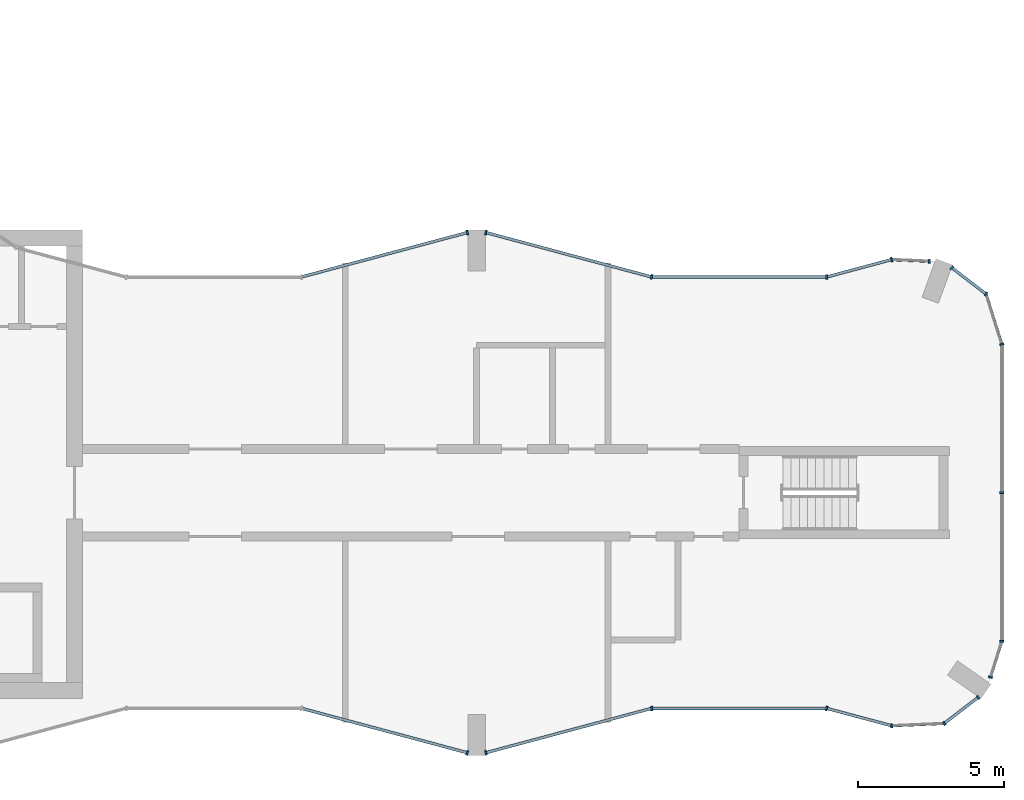
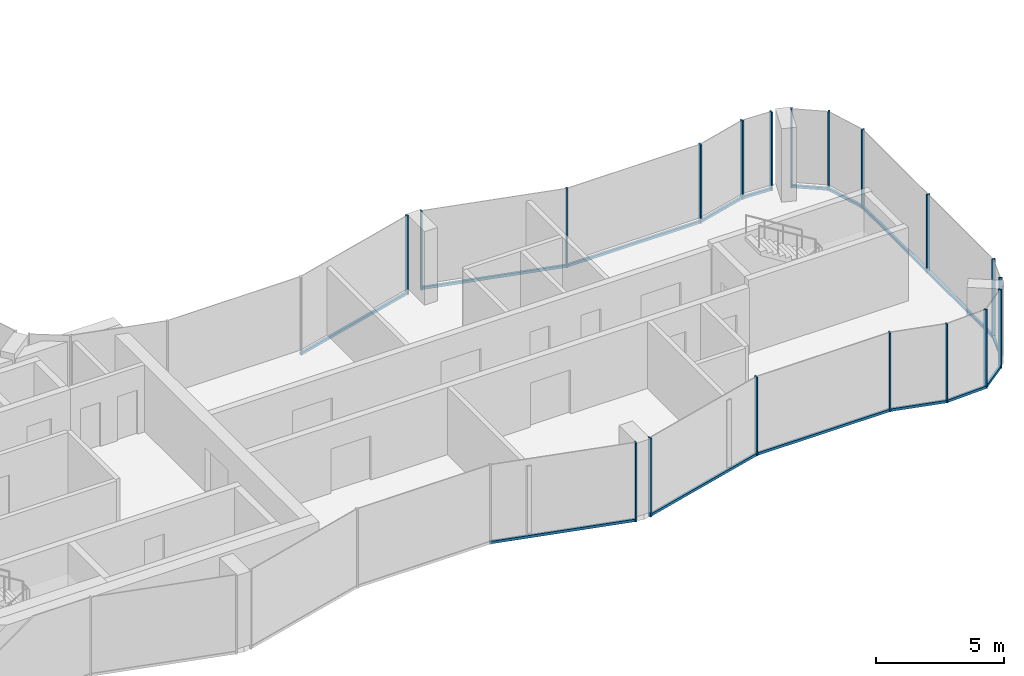
# One storey, part 6 of 16: 34 members, 15 elements without a shape of their own.
"""IFC4 building model written with IfcOpenShell, lengths in metres."""

from ifc_helpers import new_model, si_unit, direction, frame, origin, origin_2d, place, context, subcontext, project, spatial, rectangle, extrude, material, layer, layer_set, material_profile, profile_set, type_object, element, aggregate, save


model = new_model("IFC4")

# Units and contexts
model_context = context("Model", 3, precision=1e-05, world=origin(), true_north=direction((0.0, 1.0)))
body_context = subcontext(model_context, "Body", "Model", "MODEL_VIEW")
ifc_project = project(units=[si_unit("LENGTHUNIT", "METRE"), si_unit("AREAUNIT", "SQUARE_METRE"), si_unit("VOLUMEUNIT", "CUBIC_METRE"), si_unit("PLANEANGLEUNIT", "RADIAN"), si_unit("MASSUNIT", "GRAM", prefix="KILO")], contexts=[model_context])

# Site, building, storey
site_placement = place(None, origin())
site = spatial("IfcSite", under=ifc_project, at=site_placement, CompositionType="ELEMENT")
building_placement = place(site_placement, origin())
building = spatial("IfcBuilding", under=site, at=building_placement, Name="Plateau Cross Towers", CompositionType="ELEMENT")
storey_placement = place(building_placement, frame((0.0, 0.0, 181.39990234375)))
storey = spatial("IfcBuildingStorey", under=building, at=storey_placement, Name="L47", CompositionType="ELEMENT", Elevation=181.39990234375)

# Curtain wall, member
ifc_material_1 = material(Name="Dark low-iron glass", Category="glass")
ifc_layer_1 = layer(ifc_material_1, 0.239990234375)
ifc_layer_set_1 = layer_set([ifc_layer_1], Name="Dark low-iron glass")
curtain_wall_type_1 = type_object("IfcCurtainWallType", Name="Curtain wall flush unitised CW-B", PredefinedType="NOTDEFINED", material=ifc_layer_set_1)
curtain_wall_1_placement = place(storey_placement, origin())
curtain_wall_1 = element("IfcCurtainWall", 1, at=curtain_wall_1_placement, inside=storey, type_object=curtain_wall_type_1, Name="ENV/A/L47/A502_10", PredefinedType="NOTDEFINED")
ifc_material_2 = material(Name="Black anodised aluminium", Category="aluminium")
ifc_material_profile_1 = material_profile(ifc_material_2, rectangle(XDim=0.06005859375, YDim=0.139892578125, at=origin_2d()), Name="MULLION 60x140")
ifc_profile_set_1 = profile_set([ifc_material_profile_1], Name="Black anodised aluminium")
member_type_1 = type_object("IfcMemberType", Name="Mullion 60x140 flush unitised", PredefinedType="MULLION", material=ifc_profile_set_1)
member_1_placement = place(storey_placement, frame((50.223876953125, 1.01123046875, -0.25), z_axis=(0.0, 0.0, 1.0), x_axis=(0.999043701491, 0.043722791671, 0.0)))
member_1 = element("IfcMember", 2, at=member_1_placement, type_object=member_type_1, Name="CW-B mullion 1", PredefinedType="MULLION", context=body_context, shape_type="SweptSolid", body=[
    extrude(rectangle(XDim=0.06005859375, YDim=0.139892578125, at=origin_2d()), origin(), (0.0, 0.0, 1.0), 3.75),
])

# Curtain wall, members
curtain_wall_2_placement = place(storey_placement, origin())
curtain_wall_2 = element("IfcCurtainWall", 3, at=curtain_wall_2_placement, inside=storey, type_object=curtain_wall_type_1, Name="ENV/A/L47/A520_11", PredefinedType="NOTDEFINED")
member_2_placement = place(storey_placement, frame((52.0263671875, 1.090087890625, -0.25), z_axis=(0.0, 0.0, 1.0), x_axis=(0.793315514529, 0.608810721331, 0.0)))
member_2 = element("IfcMember", 4, at=member_2_placement, type_object=member_type_1, Name="CW-B mullion 1", PredefinedType="MULLION", context=body_context, shape_type="SweptSolid", body=[
    extrude(rectangle(XDim=0.06005859375, YDim=0.139892578125, at=origin_2d()), origin(), (0.0, 0.0, 1.0), 3.75),
])
member_3_placement = place(storey_placement, frame((53.193603515625, 1.986083984375, -0.25), z_axis=(0.0, 0.0, 1.0), x_axis=(0.793315514529, 0.608810721331, 0.0)))
member_3 = element("IfcMember", 5, at=member_3_placement, type_object=member_type_1, Name="CW-B mullion 2", PredefinedType="MULLION", context=body_context, shape_type="SweptSolid", body=[
    extrude(rectangle(XDim=0.06005859375, YDim=0.139892578125, at=origin_2d()), origin(), (0.0, 0.0, 1.0), 3.75),
])

# Curtain wall, member
curtain_wall_3_placement = place(storey_placement, origin())
curtain_wall_3 = element("IfcCurtainWall", 6, at=curtain_wall_3_placement, inside=storey, type_object=curtain_wall_type_1, Name="ENV/A/L47/A536_27", PredefinedType="NOTDEFINED")
member_4_placement = place(storey_placement, frame((53.611083984375, 2.67529296875, -0.25), z_axis=(0.0, 0.0, 1.0), x_axis=(0.300686174994, 0.95372313811, 0.0)))
member_4 = element("IfcMember", 7, at=member_4_placement, type_object=member_type_1, Name="CW-B mullion 1", PredefinedType="MULLION", context=body_context, shape_type="SweptSolid", body=[
    extrude(rectangle(XDim=0.06005859375, YDim=0.139892578125, at=origin_2d()), origin(), (0.0, 0.0, 1.0), 3.75),
])

# Curtain wall, members
curtain_wall_4_placement = place(storey_placement, origin())
curtain_wall_4 = element("IfcCurtainWall", 8, at=curtain_wall_4_placement, inside=storey, type_object=curtain_wall_type_1, Name="ENV/A/L47/A540_39", PredefinedType="NOTDEFINED")
member_5_placement = place(storey_placement, frame((54.0, 3.9091796875, -0.25), z_axis=(0.0, 0.0, 1.0), x_axis=(0.0, 1.0, 0.0)))
member_5 = element("IfcMember", 9, at=member_5_placement, type_object=member_type_1, Name="CW-B mullion 1", PredefinedType="MULLION", context=body_context, shape_type="SweptSolid", body=[
    extrude(rectangle(XDim=0.06005859375, YDim=0.139892578125, at=origin_2d()), origin(), (0.0, 0.0, 1.0), 3.75),
])
member_6_placement = place(storey_placement, frame((54.0, 9.0, -0.25), z_axis=(0.0, 0.0, 1.0), x_axis=(0.0, 1.0, 0.0)))
member_6 = element("IfcMember", 10, at=member_6_placement, type_object=member_type_1, Name="CW-B mullion 2", PredefinedType="MULLION", context=body_context, shape_type="SweptSolid", body=[
    extrude(rectangle(XDim=0.06005859375, YDim=0.139892578125, at=origin_2d()), origin(), (0.0, 0.0, 1.0), 3.75),
])

# Curtain wall, member
curtain_wall_5_placement = place(storey_placement, origin())
curtain_wall_5 = element("IfcCurtainWall", 11, at=curtain_wall_5_placement, inside=storey, type_object=curtain_wall_type_1, Name="ENV/A/L47/A540_141", PredefinedType="NOTDEFINED")
member_7_placement = place(storey_placement, frame((54.0, 14.0908203125, -0.25), z_axis=(0.0, 0.0, 1.0), x_axis=(-0.300686174994, 0.95372313811, 0.0)))
member_7 = element("IfcMember", 12, at=member_7_placement, type_object=member_type_1, Name="CW-B mullion 1", PredefinedType="MULLION", context=body_context, shape_type="SweptSolid", body=[
    extrude(rectangle(XDim=0.06005859375, YDim=0.139892578125, at=origin_2d()), origin(), (0.0, 0.0, 1.0), 3.75),
])

# Curtain wall, members
curtain_wall_6_placement = place(storey_placement, origin())
curtain_wall_6 = element("IfcCurtainWall", 13, at=curtain_wall_6_placement, inside=storey, type_object=curtain_wall_type_1, Name="ENV/A/L47/A535_158", PredefinedType="NOTDEFINED")
member_8_placement = place(storey_placement, frame((53.45751953125, 15.8115234375, -0.25), z_axis=(0.0, 0.0, 1.0), x_axis=(-0.793315514529, 0.608810721331, 0.0)))
member_8 = element("IfcMember", 14, at=member_8_placement, type_object=member_type_1, Name="CW-B mullion 1", PredefinedType="MULLION", context=body_context, shape_type="SweptSolid", body=[
    extrude(rectangle(XDim=0.06005859375, YDim=0.139892578125, at=origin_2d()), origin(), (0.0, 0.0, 1.0), 3.75),
])
member_9_placement = place(storey_placement, frame((52.290283203125, 16.707275390625, -0.25), z_axis=(0.0, 0.0, 1.0), x_axis=(-0.793315514529, 0.608810721331, 0.0)))
member_9 = element("IfcMember", 15, at=member_9_placement, type_object=member_type_1, Name="CW-B mullion 2", PredefinedType="MULLION", context=body_context, shape_type="SweptSolid", body=[
    extrude(rectangle(XDim=0.06005859375, YDim=0.139892578125, at=origin_2d()), origin(), (0.0, 0.0, 1.0), 3.75),
])

# Curtain wall, member
curtain_wall_7_placement = place(storey_placement, origin())
curtain_wall_7 = element("IfcCurtainWall", 16, at=curtain_wall_7_placement, inside=storey, type_object=curtain_wall_type_1, Name="ENV/A/L47/A515_169", PredefinedType="NOTDEFINED")
member_10_placement = place(storey_placement, frame((51.516357421875, 16.93212890625, -0.25), z_axis=(0.0, 0.0, 1.0), x_axis=(-0.999043701491, 0.043722791671, 0.0)))
member_10 = element("IfcMember", 17, at=member_10_placement, type_object=member_type_1, Name="CW-B mullion 1", PredefinedType="MULLION", context=body_context, shape_type="SweptSolid", body=[
    extrude(rectangle(XDim=0.06005859375, YDim=0.139892578125, at=origin_2d()), origin(), (0.0, 0.0, 1.0), 3.75),
])

ifc_layer_2 = layer(ifc_material_1, 0.260009765625)
ifc_layer_set_2 = layer_set([ifc_layer_2], Name="Dark low-iron glass")
curtain_wall_type_2 = type_object("IfcCurtainWallType", Name="Curtain wall fluted unitised CW-A", PredefinedType="NOTDEFINED", material=ifc_layer_set_2)
curtain_wall_8_placement = place(storey_placement, origin())
curtain_wall_8 = element("IfcCurtainWall", 18, at=curtain_wall_8_placement, inside=storey, type_object=curtain_wall_type_2, Name="ENV/A/L47/A300_16", PredefinedType="NOTDEFINED")
ifc_material_profile_2 = material_profile(ifc_material_2, rectangle(XDim=0.06005859375, YDim=0.159912109375, at=origin_2d()), Name="MULLION 60x160")
ifc_profile_set_2 = profile_set([ifc_material_profile_2], Name="Black anodised aluminium")
member_type_2 = type_object("IfcMemberType", Name="Mullion 60x160 fluted unitised", PredefinedType="MULLION", material=ifc_profile_set_2)
member_11_placement = place(storey_placement, frame((35.68212890625, 0.085205078125, -0.25), z_axis=(0.0, 0.0, 1.0), x_axis=(0.965957983404, -0.258699003279, 0.0)))
member_11 = element("IfcMember", 19, at=member_11_placement, type_object=member_type_2, Name="CW-A mullion 2", PredefinedType="MULLION", context=body_context, shape_type="SweptSolid", body=[
    extrude(rectangle(XDim=0.06005859375, YDim=0.159912109375, at=origin_2d()), origin(), (0.0, 0.0, 1.0), 3.75),
])

curtain_wall_9_placement = place(storey_placement, origin())
curtain_wall_9 = element("IfcCurtainWall", 20, at=curtain_wall_9_placement, inside=storey, type_object=curtain_wall_type_2, Name="ENV/A/L47/A363_1", PredefinedType="NOTDEFINED")
member_12_placement = place(storey_placement, frame((36.31787109375, 0.085205078125, -0.25), z_axis=(0.0, 0.0, 1.0), x_axis=(0.965957983404, 0.258699003279, 0.0)))
member_12 = element("IfcMember", 21, at=member_12_placement, type_object=member_type_2, Name="CW-A mullion 1", PredefinedType="MULLION", context=body_context, shape_type="SweptSolid", body=[
    extrude(rectangle(XDim=0.06005859375, YDim=0.159912109375, at=origin_2d()), origin(), (0.0, 0.0, 1.0), 3.75),
])

curtain_wall_10_placement = place(storey_placement, origin())
curtain_wall_10 = element("IfcCurtainWall", 22, at=curtain_wall_10_placement, inside=storey, type_object=curtain_wall_type_2, Name="ENV/A/L47/A420_16", PredefinedType="NOTDEFINED")
member_13_placement = place(storey_placement, frame((42.0, 1.60693359375, -0.25), z_axis=(0.0, 0.0, 1.0), x_axis=(1.0, 0.0, 0.0)))
member_13 = element("IfcMember", 23, at=member_13_placement, type_object=member_type_2, Name="CW-A mullion 1", PredefinedType="MULLION", context=body_context, shape_type="SweptSolid", body=[
    extrude(rectangle(XDim=0.06005859375, YDim=0.159912109375, at=origin_2d()), origin(), (0.0, 0.0, 1.0), 3.75),
])

curtain_wall_11_placement = place(storey_placement, origin())
curtain_wall_11 = element("IfcCurtainWall", 24, at=curtain_wall_11_placement, inside=storey, type_object=curtain_wall_type_2, Name="ENV/A/L47/A480_16", PredefinedType="NOTDEFINED")
member_14_placement = place(storey_placement, frame((48.0, 1.60693359375, -0.25), z_axis=(0.0, 0.0, 1.0), x_axis=(0.965957962328, -0.258699081978, 0.0)))
member_14 = element("IfcMember", 25, at=member_14_placement, type_object=member_type_2, Name="CW-A mullion 1", PredefinedType="MULLION", context=body_context, shape_type="SweptSolid", body=[
    extrude(rectangle(XDim=0.06005859375, YDim=0.159912109375, at=origin_2d()), origin(), (0.0, 0.0, 1.0), 3.75),
])

curtain_wall_12_placement = place(storey_placement, origin())
curtain_wall_12 = element("IfcCurtainWall", 26, at=curtain_wall_12_placement, inside=storey, type_object=curtain_wall_type_2, Name="ENV/A/L47/A502_170", PredefinedType="NOTDEFINED")
member_15_placement = place(storey_placement, frame((50.223876953125, 16.98876953125, -0.25), z_axis=(0.0, 0.0, 1.0), x_axis=(-0.965957962328, -0.258699081978, 0.0)))
member_15 = element("IfcMember", 27, at=member_15_placement, type_object=member_type_2, Name="CW-A mullion 1", PredefinedType="MULLION", context=body_context, shape_type="SweptSolid", body=[
    extrude(rectangle(XDim=0.06005859375, YDim=0.159912109375, at=origin_2d()), origin(), (0.0, 0.0, 1.0), 3.75),
])

curtain_wall_13_placement = place(storey_placement, origin())
curtain_wall_13 = element("IfcCurtainWall", 28, at=curtain_wall_13_placement, inside=storey, type_object=curtain_wall_type_2, Name="ENV/A/L47/A480_164", PredefinedType="NOTDEFINED")
member_16_placement = place(storey_placement, frame((48.0, 16.39306640625, -0.25), z_axis=(0.0, 0.0, 1.0), x_axis=(-1.0, 0.0, 0.0)))
member_16 = element("IfcMember", 29, at=member_16_placement, type_object=member_type_2, Name="CW-A mullion 1", PredefinedType="MULLION", context=body_context, shape_type="SweptSolid", body=[
    extrude(rectangle(XDim=0.06005859375, YDim=0.159912109375, at=origin_2d()), origin(), (0.0, 0.0, 1.0), 3.75),
])

# Curtain wall, members
curtain_wall_14_placement = place(storey_placement, origin())
curtain_wall_14 = element("IfcCurtainWall", 30, at=curtain_wall_14_placement, inside=storey, type_object=curtain_wall_type_2, Name="ENV/A/L47/A420_164", PredefinedType="NOTDEFINED")
member_17_placement = place(storey_placement, frame((42.0, 16.39306640625, -0.25), z_axis=(0.0, 0.0, 1.0), x_axis=(-0.965957983404, 0.258699003279, 0.0)))
member_17 = element("IfcMember", 31, at=member_17_placement, type_object=member_type_2, Name="CW-A mullion 1", PredefinedType="MULLION", context=body_context, shape_type="SweptSolid", body=[
    extrude(rectangle(XDim=0.06005859375, YDim=0.159912109375, at=origin_2d()), origin(), (0.0, 0.0, 1.0), 3.75),
])
member_18_placement = place(storey_placement, frame((36.31787109375, 17.914794921875, -0.25), z_axis=(0.0, 0.0, 1.0), x_axis=(-0.965957983404, 0.258699003279, 0.0)))
member_18 = element("IfcMember", 32, at=member_18_placement, type_object=member_type_2, Name="CW-A mullion 2", PredefinedType="MULLION", context=body_context, shape_type="SweptSolid", body=[
    extrude(rectangle(XDim=0.06005859375, YDim=0.159912109375, at=origin_2d()), origin(), (0.0, 0.0, 1.0), 3.75),
])

# Curtain wall, member
curtain_wall_15_placement = place(storey_placement, origin())
curtain_wall_15 = element("IfcCurtainWall", 33, at=curtain_wall_15_placement, inside=storey, type_object=curtain_wall_type_2, Name="ENV/A/L47/A357_179", PredefinedType="NOTDEFINED")
member_19_placement = place(storey_placement, frame((35.68212890625, 17.914794921875, -0.25), z_axis=(0.0, 0.0, 1.0), x_axis=(-0.965957983404, -0.258699003279, 0.0)))
member_19 = element("IfcMember", 34, at=member_19_placement, type_object=member_type_2, Name="CW-A mullion 1", PredefinedType="MULLION", context=body_context, shape_type="SweptSolid", body=[
    extrude(rectangle(XDim=0.06005859375, YDim=0.159912109375, at=origin_2d()), origin(), (0.0, 0.0, 1.0), 3.75),
])

# Member
ifc_material_profile_3 = material_profile(ifc_material_2, rectangle(XDim=0.10009765625, YDim=0.1201171875, at=origin_2d()), Name="TRANSOM 100x120")
ifc_profile_set_3 = profile_set([ifc_material_profile_3], Name="Black anodised aluminium")
member_type_3 = type_object("IfcMemberType", Name="Transom 100x120 flush unitised", PredefinedType="USERDEFINED", material=ifc_profile_set_3)
member_20_placement = place(storey_placement, frame((50.223876953125, 1.01123046875, -0.18994140625), z_axis=(0.999044377355, 0.043707345779, 0.0), x_axis=(-0.043707345779, 0.999044377355, 0.0)))
member_20 = element("IfcMember", 35, at=member_20_placement, type_object=member_type_3, Name="CW-B transom", ObjectType="TRANSOM", PredefinedType="USERDEFINED", context=body_context, shape_type="SweptSolid", body=[
    extrude(rectangle(XDim=0.10009765625, YDim=0.1201171875, at=origin_2d()), origin(), (0.0, 0.0, 1.0), 1.80419921875),
])

aggregate(curtain_wall_1, [member_1, member_20])

member_21_placement = place(storey_placement, frame((52.0263671875, 1.090087890625, -0.18994140625), z_axis=(0.793240368515, 0.608908628415, 0.0), x_axis=(-0.608908628415, 0.793240368515, 0.0)))
member_21 = element("IfcMember", 36, at=member_21_placement, type_object=member_type_3, Name="CW-B transom", ObjectType="TRANSOM", PredefinedType="USERDEFINED", context=body_context, shape_type="SweptSolid", body=[
    extrude(rectangle(XDim=0.10009765625, YDim=0.1201171875, at=origin_2d()), origin(), (0.0, 0.0, 1.0), 1.471435546875),
])

aggregate(curtain_wall_2, [member_2, member_3, member_21])

member_22_placement = place(storey_placement, frame((53.611083984375, 2.67529296875, -0.18994140625), z_axis=(0.300616528216, 0.953745093284, 0.0), x_axis=(-0.953745093284, 0.300616528216, 0.0)))
member_22 = element("IfcMember", 37, at=member_22_placement, type_object=member_type_3, Name="CW-B transom", ObjectType="TRANSOM", PredefinedType="USERDEFINED", context=body_context, shape_type="SweptSolid", body=[
    extrude(rectangle(XDim=0.10009765625, YDim=0.1201171875, at=origin_2d()), origin(), (0.0, 0.0, 1.0), 1.293701171875),
])

aggregate(curtain_wall_3, [member_4, member_22])

member_23_placement = place(storey_placement, frame((54.0, 3.9091796875, -0.18994140625), z_axis=(0.0, 1.0, 0.0), x_axis=(-1.0, 0.0, 0.0)))
member_23 = element("IfcMember", 38, at=member_23_placement, type_object=member_type_3, Name="CW-B transom", ObjectType="TRANSOM", PredefinedType="USERDEFINED", context=body_context, shape_type="SweptSolid", body=[
    extrude(rectangle(XDim=0.10009765625, YDim=0.1201171875, at=origin_2d()), origin(), (0.0, 0.0, 1.0), 10.181640625),
])

aggregate(curtain_wall_4, [member_5, member_6, member_23])

member_24_placement = place(storey_placement, frame((54.0, 14.0908203125, -0.18994140625), z_axis=(-0.30067799945, 0.953725715626, 0.0), x_axis=(-0.953725715626, -0.30067799945, 0.0)))
member_24 = element("IfcMember", 39, at=member_24_placement, type_object=member_type_3, Name="CW-B transom", ObjectType="TRANSOM", PredefinedType="USERDEFINED", context=body_context, shape_type="SweptSolid", body=[
    extrude(rectangle(XDim=0.10009765625, YDim=0.1201171875, at=origin_2d()), origin(), (0.0, 0.0, 1.0), 1.80419921875),
])

aggregate(curtain_wall_5, [member_7, member_24])

member_25_placement = place(storey_placement, frame((53.45751953125, 15.8115234375, -0.18994140625), z_axis=(-0.793320508571, 0.608804213751, 0.0), x_axis=(-0.608804213751, -0.793320508571, 0.0)))
member_25 = element("IfcMember", 40, at=member_25_placement, type_object=member_type_3, Name="CW-B transom", ObjectType="TRANSOM", PredefinedType="USERDEFINED", context=body_context, shape_type="SweptSolid", body=[
    extrude(rectangle(XDim=0.10009765625, YDim=0.1201171875, at=origin_2d()), origin(), (0.0, 0.0, 1.0), 1.471435546875),
])

aggregate(curtain_wall_6, [member_8, member_9, member_25])

member_26_placement = place(storey_placement, frame((51.516357421875, 16.93212890625, -0.18994140625), z_axis=(-0.999041144614, 0.043781175963, 0.0), x_axis=(-0.043781175963, -0.999041144614, 0.0)))
member_26 = element("IfcMember", 41, at=member_26_placement, type_object=member_type_3, Name="CW-B transom", ObjectType="TRANSOM", PredefinedType="USERDEFINED", context=body_context, shape_type="SweptSolid", body=[
    extrude(rectangle(XDim=0.10009765625, YDim=0.1201171875, at=origin_2d()), origin(), (0.0, 0.0, 1.0), 1.293701171875),
])

aggregate(curtain_wall_7, [member_10, member_26])

ifc_material_profile_4 = material_profile(ifc_material_2, rectangle(XDim=0.10009765625, YDim=0.1201171875, at=origin_2d()), Name="TRANSOM 100x120")
ifc_profile_set_4 = profile_set([ifc_material_profile_4], Name="Black anodised aluminium")
member_type_4 = type_object("IfcMemberType", Name="Transom 100x120 fluted unitised", PredefinedType="USERDEFINED", material=ifc_profile_set_4)
member_27_placement = place(storey_placement, frame((30.0, 1.60693359375, -0.18994140625), z_axis=(0.965959534794, -0.258693210465, 0.0), x_axis=(0.258693210465, 0.965959534794, 0.0)))
member_27 = element("IfcMember", 42, at=member_27_placement, type_object=member_type_4, Name="CW-A transom", ObjectType="TRANSOM", PredefinedType="USERDEFINED", context=body_context, shape_type="SweptSolid", body=[
    extrude(rectangle(XDim=0.10009765625, YDim=0.1201171875, at=origin_2d()), origin(), (0.0, 0.0, 1.0), 5.88232421875),
])

aggregate(curtain_wall_8, [member_11, member_27])

member_28_placement = place(storey_placement, frame((36.31787109375, 0.085205078125, -0.18994140625), z_axis=(0.965959534794, 0.258693210465, 0.0), x_axis=(-0.258693210465, 0.965959534794, 0.0)))
member_28 = element("IfcMember", 43, at=member_28_placement, type_object=member_type_4, Name="CW-A transom", ObjectType="TRANSOM", PredefinedType="USERDEFINED", context=body_context, shape_type="SweptSolid", body=[
    extrude(rectangle(XDim=0.10009765625, YDim=0.1201171875, at=origin_2d()), origin(), (0.0, 0.0, 1.0), 5.88232421875),
])

aggregate(curtain_wall_9, [member_12, member_28])

member_29_placement = place(storey_placement, frame((42.0, 1.60693359375, -0.18994140625), z_axis=(1.0, 0.0, 0.0), x_axis=(0.0, 1.0, 0.0)))
member_29 = element("IfcMember", 44, at=member_29_placement, type_object=member_type_4, Name="CW-A transom", ObjectType="TRANSOM", PredefinedType="USERDEFINED", context=body_context, shape_type="SweptSolid", body=[
    extrude(rectangle(XDim=0.10009765625, YDim=0.1201171875, at=origin_2d()), origin(), (0.0, 0.0, 1.0), 6.0),
])

aggregate(curtain_wall_10, [member_13, member_29])

member_30_placement = place(storey_placement, frame((48.0, 1.60693359375, -0.18994140625), z_axis=(0.965945685136, -0.258744919501, 0.0), x_axis=(0.258744919501, 0.965945685136, 0.0)))
member_30 = element("IfcMember", 45, at=member_30_placement, type_object=member_type_4, Name="CW-A transom", ObjectType="TRANSOM", PredefinedType="USERDEFINED", context=body_context, shape_type="SweptSolid", body=[
    extrude(rectangle(XDim=0.10009765625, YDim=0.1201171875, at=origin_2d()), origin(), (0.0, 0.0, 1.0), 2.30224609375),
])

aggregate(curtain_wall_11, [member_14, member_30])

member_31_placement = place(storey_placement, frame((50.223876953125, 16.98876953125, -0.18994140625), z_axis=(-0.965945685136, -0.258744919501, 0.0), x_axis=(0.258744919501, -0.965945685136, 0.0)))
member_31 = element("IfcMember", 46, at=member_31_placement, type_object=member_type_4, Name="CW-A transom", ObjectType="TRANSOM", PredefinedType="USERDEFINED", context=body_context, shape_type="SweptSolid", body=[
    extrude(rectangle(XDim=0.10009765625, YDim=0.1201171875, at=origin_2d()), origin(), (0.0, 0.0, 1.0), 2.30224609375),
])

aggregate(curtain_wall_12, [member_15, member_31])

member_32_placement = place(storey_placement, frame((48.0, 16.39306640625, -0.18994140625), z_axis=(-1.0, 0.0, 0.0), x_axis=(0.0, -1.0, 0.0)))
member_32 = element("IfcMember", 47, at=member_32_placement, type_object=member_type_4, Name="CW-A transom", ObjectType="TRANSOM", PredefinedType="USERDEFINED", context=body_context, shape_type="SweptSolid", body=[
    extrude(rectangle(XDim=0.10009765625, YDim=0.1201171875, at=origin_2d()), origin(), (0.0, 0.0, 1.0), 6.0),
])

aggregate(curtain_wall_13, [member_16, member_32])

member_33_placement = place(storey_placement, frame((42.0, 16.39306640625, -0.18994140625), z_axis=(-0.965959534794, 0.258693210465, 0.0), x_axis=(-0.258693210465, -0.965959534794, 0.0)))
member_33 = element("IfcMember", 48, at=member_33_placement, type_object=member_type_4, Name="CW-A transom", ObjectType="TRANSOM", PredefinedType="USERDEFINED", context=body_context, shape_type="SweptSolid", body=[
    extrude(rectangle(XDim=0.10009765625, YDim=0.1201171875, at=origin_2d()), origin(), (0.0, 0.0, 1.0), 5.88232421875),
])

aggregate(curtain_wall_14, [member_17, member_18, member_33])

member_34_placement = place(storey_placement, frame((35.68212890625, 17.914794921875, -0.18994140625), z_axis=(-0.965959534794, -0.258693210465, 0.0), x_axis=(0.258693210465, -0.965959534794, 0.0)))
member_34 = element("IfcMember", 49, at=member_34_placement, type_object=member_type_4, Name="CW-A transom", ObjectType="TRANSOM", PredefinedType="USERDEFINED", context=body_context, shape_type="SweptSolid", body=[
    extrude(rectangle(XDim=0.10009765625, YDim=0.1201171875, at=origin_2d()), origin(), (0.0, 0.0, 1.0), 5.88232421875),
])

aggregate(curtain_wall_15, [member_19, member_34])

save(model, "model.ifc")
